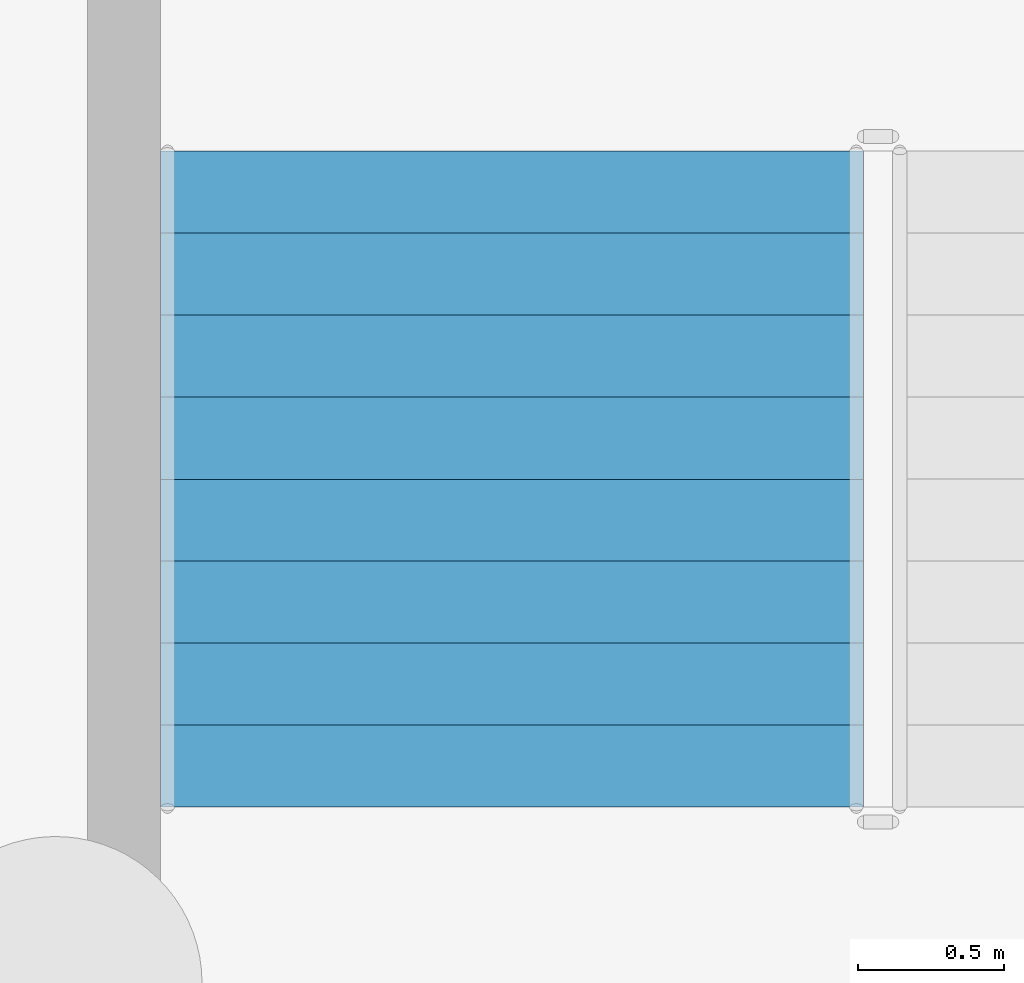
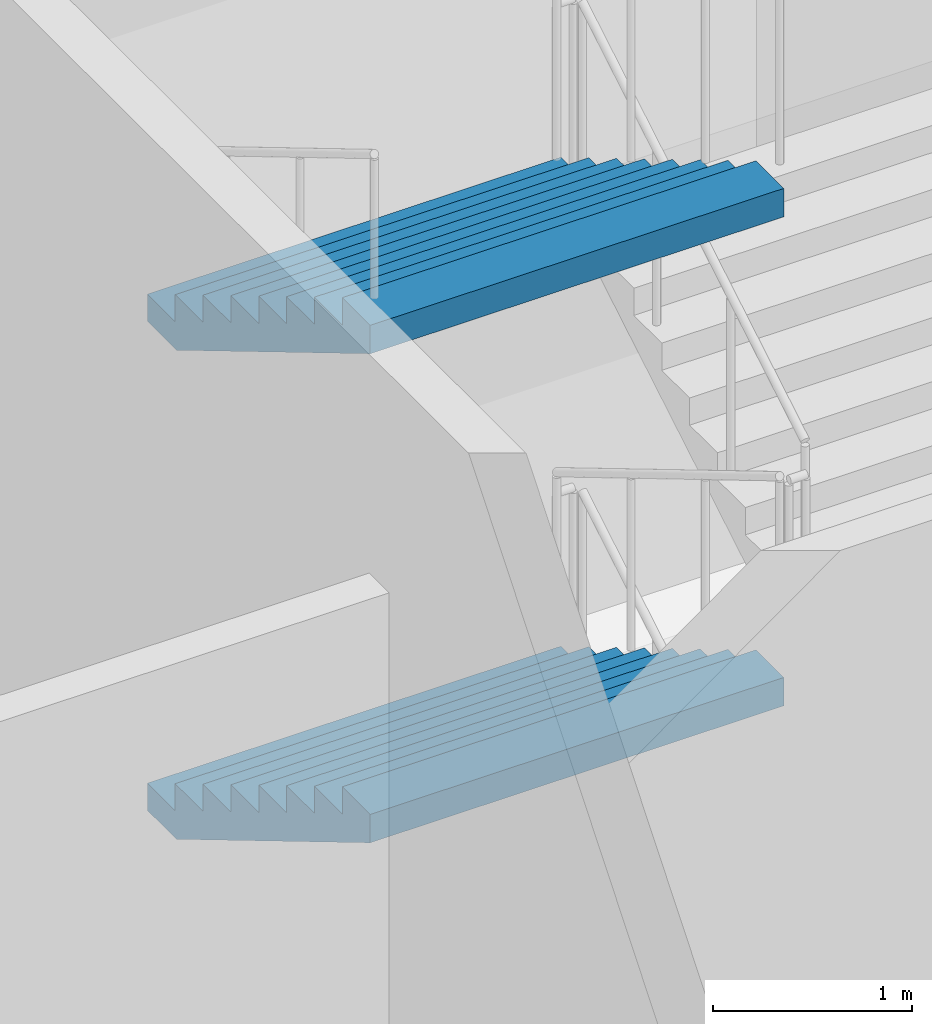
# One storey, part 27 of 39: 2 stair flights, 1 element without a shape of its own.
"""IFC4 building model written with IfcOpenShell, lengths in metres."""

from ifc_helpers import new_model, si_unit, direction, frame, origin, place, context, subcontext, project, spatial, triangles, material, type_object, element, aggregate, save


model = new_model("IFC4")

# Units and contexts
model_context = context("Model", 3, precision=1e-05, world=origin(), true_north=direction((0.0, 1.0)))
body_context = subcontext(model_context, "Body", "Model", "MODEL_VIEW")
ifc_project = project(units=[si_unit("LENGTHUNIT", "METRE"), si_unit("AREAUNIT", "SQUARE_METRE"), si_unit("VOLUMEUNIT", "CUBIC_METRE"), si_unit("PLANEANGLEUNIT", "RADIAN"), si_unit("MASSUNIT", "GRAM", prefix="KILO")], contexts=[model_context])

# Site, building, storey
site_placement = place(None, origin())
site = spatial("IfcSite", under=ifc_project, at=site_placement, CompositionType="ELEMENT")
building_placement = place(site_placement, origin())
building = spatial("IfcBuilding", under=site, at=building_placement, Name="Magnolia Steps Interchange", CompositionType="ELEMENT")
storey_placement = place(building_placement, frame((0.0, 0.0, -11.39990234375)))
storey = spatial("IfcBuildingStorey", under=building, at=storey_placement, Name="B2", CompositionType="ELEMENT", Elevation=-11.39990234375)

# Stair, stair flights
ifc_material_1 = material(Name="Concrete C40", Category="concrete")
stair_type = type_object("IfcStairType", Name="Exit stair 2400", PredefinedType="HALF_TURN_STAIR", material=ifc_material_1)
stair_placement = place(storey_placement, origin())
stair = element("IfcStair", 1, at=stair_placement, inside=storey, type_object=stair_type, Name="B2 Stair 16", PredefinedType="HALF_TURN_STAIR")
ifc_material_2 = material(Name="Concrete C40", Category="concrete")
stair_flight_type = type_object("IfcStairFlightType", Name="Exit stair flight", PredefinedType="STRAIGHT", material=ifc_material_2)
stair_flight_1_placement = place(storey_placement, frame((178.72509765625, 72.114990234375, 1.5), z_axis=(0.0, 0.0, 1.0), x_axis=(0.0, -1.0, 0.0)))
stair_flight_1 = element("IfcStairFlight", 2, at=stair_flight_1_placement, type_object=stair_flight_type, Name="Stair 16 flight 2", NumberOfRisers=9, NumberOfTreads=8, PredefinedType="STRAIGHT", RiserHeight=0.166666667, TreadLength=0.28, context=body_context, shape_type="Tessellation", body=[
    triangles([(0.0, -1.199951171875, 0.0), (0.29296875, -1.199951171875, 0.0), (2.239990234375, -1.199951171875, 1.158935546875), (2.239990234375, -1.199951171875, 1.333251953125), (1.9599609375, -1.199951171875, 1.333251953125), (1.9599609375, -1.199951171875, 1.166748046875), (1.679931640625, -1.199951171875, 1.166748046875), (1.679931640625, -1.199951171875, 1.0), (1.39990234375, -1.199951171875, 1.0), (1.39990234375, -1.199951171875, 0.833251953125), (1.1201171875, -1.199951171875, 0.833251953125), (1.1201171875, -1.199951171875, 0.666748046875), (0.840087890625, -1.199951171875, 0.666748046875), (0.840087890625, -1.199951171875, 0.5), (0.56005859375, -1.199951171875, 0.5), (0.56005859375, -1.199951171875, 0.333251953125), (0.280029296875, -1.199951171875, 0.333251953125), (0.280029296875, -1.199951171875, 0.166748046875), (0.0, -1.199951171875, 0.166748046875), (0.0, 1.199951171875, 0.0), (0.29296875, 1.199951171875, 0.0), (2.239990234375, 1.199951171875, 1.158935546875), (2.239990234375, 1.199951171875, 1.333251953125), (1.9599609375, 1.199951171875, 1.333251953125), (1.9599609375, 1.199951171875, 1.166748046875), (1.679931640625, 1.199951171875, 1.166748046875), (1.679931640625, 1.199951171875, 1.0), (1.39990234375, 1.199951171875, 1.0), (1.39990234375, 1.199951171875, 0.833251953125), (1.1201171875, 1.199951171875, 0.833251953125), (1.1201171875, 1.199951171875, 0.666748046875), (0.840087890625, 1.199951171875, 0.666748046875), (0.840087890625, 1.199951171875, 0.5), (0.56005859375, 1.199951171875, 0.5), (0.56005859375, 1.199951171875, 0.333251953125), (0.280029296875, 1.199951171875, 0.333251953125), (0.280029296875, 1.199951171875, 0.166748046875), (0.0, 1.199951171875, 0.166748046875), (0.0, 0.0, 0.0), (0.0, 0.0, 0.04168701171875), (0.0, 0.0, 0.0833740234375), (0.0, 0.0, 0.12506103515625), (0.0, 0.0, 0.166748046875), (0.0, -0.05, 0.0), (0.0, -0.05, 0.166748046875), (0.0, 0.05, 0.0), (0.0, 0.05, 0.166748046875), (0.046671549479166664, 0.0, 0.166748046875), (0.09334309895833333, 0.0, 0.166748046875), (0.1400146484375, 0.0, 0.166748046875), (0.18668619791666666, 0.0, 0.166748046875), (0.23335774739583334, 0.0, 0.166748046875), (0.280029296875, 0.0, 0.166748046875), (0.280029296875, -0.05, 0.166748046875), (0.280029296875, 0.05, 0.166748046875), (0.280029296875, 0.0, 0.2083740234375), (0.280029296875, 0.0, 0.25), (0.280029296875, 0.0, 0.2916259765625), (0.280029296875, 0.0, 0.333251953125), (0.280029296875, -0.05, 0.333251953125), (0.280029296875, 0.05, 0.333251953125), (0.3267008463541667, 0.0, 0.333251953125), (0.3733723958333333, 0.0, 0.333251953125), (0.4200439453125, 0.0, 0.333251953125), (0.46671549479166663, 0.0, 0.333251953125), (0.5133870442708334, 0.0, 0.333251953125), (0.56005859375, 0.0, 0.333251953125), (0.56005859375, -0.05, 0.333251953125), (0.56005859375, 0.05, 0.333251953125), (0.56005859375, 0.0, 0.37493896484375), (0.56005859375, 0.0, 0.4166259765625), (0.56005859375, 0.0, 0.45831298828125), (0.56005859375, 0.0, 0.5), (0.56005859375, -0.05, 0.5), (0.56005859375, 0.05, 0.5), (0.6067301432291666, 0.0, 0.5), (0.6534016927083334, 0.0, 0.5), (0.7000732421875, 0.0, 0.5), (0.7467447916666666, 0.0, 0.5), (0.7934163411458334, 0.0, 0.5), (0.840087890625, 0.0, 0.5), (0.840087890625, -0.05, 0.5), (0.840087890625, 0.05, 0.5), (0.840087890625, 0.0, 0.54168701171875), (0.840087890625, 0.0, 0.5833740234375), (0.840087890625, 0.0, 0.62506103515625), (0.840087890625, 0.0, 0.666748046875), (0.840087890625, -0.05, 0.666748046875), (0.840087890625, 0.05, 0.666748046875), (0.8867594401041666, 0.0, 0.666748046875), (0.9334309895833334, 0.0, 0.666748046875), (0.9801025390625, 0.0, 0.666748046875), (1.0267740885416667, 0.0, 0.666748046875), (1.0734456380208333, 0.0, 0.666748046875), (1.1201171875, 0.0, 0.666748046875), (1.1201171875, -0.05, 0.666748046875), (1.1201171875, 0.05, 0.666748046875), (1.1201171875, 0.0, 0.7083740234375), (1.1201171875, 0.0, 0.75), (1.1201171875, 0.0, 0.7916259765625), (1.1201171875, 0.0, 0.833251953125), (1.1201171875, -0.05, 0.833251953125), (1.1201171875, 0.05, 0.833251953125), (1.1900634765625, 0.0, 0.833251953125), (1.260009765625, 0.0, 0.833251953125), (1.3299560546875, 0.0, 0.833251953125), (1.39990234375, 0.0, 0.833251953125), (1.39990234375, -0.05, 0.833251953125), (1.39990234375, 0.05, 0.833251953125), (1.39990234375, 0.0, 0.87493896484375), (1.39990234375, 0.0, 0.9166259765625), (1.39990234375, 0.0, 0.95831298828125), (1.39990234375, 0.0, 1.0), (1.39990234375, -0.05, 1.0), (1.39990234375, 0.05, 1.0), (1.4465738932291667, 0.0, 1.0), (1.4932454427083333, 0.0, 1.0), (1.5399169921875, 0.0, 1.0), (1.5865885416666667, 0.0, 1.0), (1.6332600911458333, 0.0, 1.0), (1.679931640625, 0.0, 1.0), (1.679931640625, -0.05, 1.0), (1.679931640625, 0.05, 1.0), (1.679931640625, 0.0, 1.04168701171875), (1.679931640625, 0.0, 1.0833740234375), (1.679931640625, 0.0, 1.12506103515625), (1.679931640625, 0.0, 1.166748046875), (1.679931640625, -0.05, 1.166748046875), (1.679931640625, 0.05, 1.166748046875), (1.7266031901041667, 0.0, 1.166748046875), (1.7732747395833333, 0.0, 1.166748046875), (1.8199462890625, 0.0, 1.166748046875), (1.8666178385416667, 0.0, 1.166748046875), (1.9132893880208333, 0.0, 1.166748046875), (1.9599609375, 0.0, 1.166748046875), (1.9599609375, -0.05, 1.166748046875), (1.9599609375, 0.05, 1.166748046875), (1.9599609375, 0.0, 1.2083740234375), (1.9599609375, 0.0, 1.25), (1.9599609375, 0.0, 1.2916259765625), (1.9599609375, 0.0, 1.333251953125), (1.9599609375, -0.05, 1.333251953125), (1.9599609375, 0.05, 1.333251953125), (2.0066324869791665, 0.0, 1.333251953125), (2.0533040364583335, 0.0, 1.333251953125), (2.0999755859375, 0.0, 1.333251953125), (2.1466471354166665, 0.0, 1.333251953125), (2.1933186848958335, 0.0, 1.333251953125), (2.239990234375, 0.0, 1.333251953125), (2.239990234375, -0.05, 1.333251953125), (2.239990234375, 0.05, 1.333251953125), (2.239990234375, 0.0, 1.2896728515625), (2.239990234375, 0.0, 1.24609375), (2.239990234375, 0.0, 1.2025146484375), (2.239990234375, 0.0, 1.158935546875), (2.239990234375, -0.05, 1.158935546875), (2.239990234375, 0.05, 1.158935546875), (2.1827248965992645, 0.0, 1.1248492072610294), (2.1254595588235294, 0.0, 1.0907628676470589), (2.068194221047794, 0.0, 1.0566765280330883), (2.010928883272059, 0.0, 1.0225901884191178), (1.9536635454963236, 0.0, 0.9885038488051471), (1.8963982077205883, 0.0, 0.9544175091911764), (1.8391328699448528, 0.0, 0.9203311695772058), (1.7818675321691178, 0.0, 0.8862448299632353), (1.7246021943933822, 0.0, 0.8521584903492647), (1.6673368566176472, 0.0, 0.8180721507352942), (1.6100715188419117, 0.0, 0.7839858111213236), (1.5528061810661766, 0.0, 0.7498994715073529), (1.4955408432904411, 0.0, 0.7158131318933824), (1.4382755055147058, 0.0, 0.6817267922794117), (1.3810101677389706, 0.0, 0.6476404526654411), (1.3237448299632353, 0.0, 0.6135541130514706), (1.2664794921875, 0.0, 0.5794677734375), (1.2092141544117647, 0.0, 0.5453814338235294), (1.1519488166360294, 0.0, 0.5112950942095589), (1.0946834788602942, 0.0, 0.4772087545955882), (1.0374181410845589, 0.0, 0.44312241498161764), (0.9801528033088236, 0.0, 0.4090360753676471), (0.9228874655330883, 0.0, 0.3749497357536765), (0.865622127757353, 0.0, 0.34086339613970584), (0.8083567899816178, 0.0, 0.3067770565257353), (0.7510914522058822, 0.0, 0.2726907169117647), (0.693826114430147, 0.0, 0.23860437729779416), (0.6365607766544117, 0.0, 0.20451803768382348), (0.5792954388786764, 0.0, 0.17043169806985292), (0.5220301011029411, 0.0, 0.13634535845588225), (0.46476476332720584, 0.0, 0.10225901884191169), (0.40749942555147056, 0.0, 0.06817267922794112), (0.3502340877757353, 0.0, 0.03408633961397056), (0.29296875, 0.0, 0.0), (0.29296875, -0.05, 0.0), (0.29296875, 0.05, 0.0), (0.244140625, 0.0, 0.0), (0.1953125, 0.0, 0.0), (0.146484375, 0.0, 0.0), (0.09765625, 0.0, 0.0), (0.048828125, 0.0, 0.0)], [[1, 2, 3], [3, 4, 5], [3, 5, 6], [3, 6, 7], [3, 7, 8], [8, 9, 10], [3, 8, 10], [10, 11, 12], [3, 10, 12], [12, 13, 14], [3, 12, 14], [14, 15, 16], [3, 14, 16], [1, 3, 16], [16, 17, 18], [1, 16, 18], [18, 19, 1], [20, 22, 21], [22, 24, 23], [22, 25, 24], [22, 26, 25], [22, 27, 26], [27, 29, 28], [22, 29, 27], [29, 31, 30], [22, 31, 29], [31, 33, 32], [22, 33, 31], [33, 35, 34], [22, 35, 33], [20, 35, 22], [35, 37, 36], [20, 37, 35], [37, 20, 38], [1, 19, 45], [1, 45, 44], [44, 40, 39], [44, 41, 40], [44, 45, 41], [45, 42, 41], [45, 43, 42], [20, 47, 38], [20, 46, 47], [46, 39, 40], [46, 40, 41], [46, 41, 47], [47, 41, 42], [47, 42, 43], [19, 18, 54], [19, 54, 45], [45, 48, 43], [45, 49, 48], [45, 50, 49], [45, 54, 50], [54, 51, 50], [54, 52, 51], [54, 53, 52], [38, 55, 37], [38, 47, 55], [47, 43, 48], [47, 48, 49], [47, 49, 50], [47, 50, 55], [55, 50, 51], [55, 51, 52], [55, 52, 53], [18, 17, 60], [18, 60, 54], [54, 56, 53], [54, 57, 56], [54, 60, 57], [60, 58, 57], [60, 59, 58], [37, 61, 36], [37, 55, 61], [55, 53, 56], [55, 56, 57], [55, 57, 61], [61, 57, 58], [61, 58, 59], [17, 16, 68], [17, 68, 60], [60, 62, 59], [60, 63, 62], [60, 64, 63], [60, 68, 64], [68, 65, 64], [68, 66, 65], [68, 67, 66], [36, 69, 35], [36, 61, 69], [61, 59, 62], [61, 62, 63], [61, 63, 64], [61, 64, 69], [69, 64, 65], [69, 65, 66], [69, 66, 67], [16, 15, 74], [16, 74, 68], [68, 70, 67], [68, 71, 70], [68, 74, 71], [74, 72, 71], [74, 73, 72], [35, 75, 34], [35, 69, 75], [69, 67, 70], [69, 70, 71], [69, 71, 75], [75, 71, 72], [75, 72, 73], [15, 14, 82], [15, 82, 74], [74, 76, 73], [74, 77, 76], [74, 78, 77], [74, 82, 78], [82, 79, 78], [82, 80, 79], [82, 81, 80], [34, 83, 33], [34, 75, 83], [75, 73, 76], [75, 76, 77], [75, 77, 78], [75, 78, 83], [83, 78, 79], [83, 79, 80], [83, 80, 81], [14, 13, 88], [14, 88, 82], [82, 84, 81], [82, 85, 84], [82, 88, 85], [88, 86, 85], [88, 87, 86], [33, 89, 32], [33, 83, 89], [83, 81, 84], [83, 84, 85], [83, 85, 89], [89, 85, 86], [89, 86, 87], [13, 12, 96], [13, 96, 88], [88, 90, 87], [88, 91, 90], [88, 92, 91], [88, 96, 92], [96, 93, 92], [96, 94, 93], [96, 95, 94], [32, 97, 31], [32, 89, 97], [89, 87, 90], [89, 90, 91], [89, 91, 92], [89, 92, 97], [97, 92, 93], [97, 93, 94], [97, 94, 95], [12, 11, 102], [12, 102, 96], [96, 98, 95], [96, 99, 98], [96, 102, 99], [102, 100, 99], [102, 101, 100], [31, 103, 30], [31, 97, 103], [97, 95, 98], [97, 98, 99], [97, 99, 103], [103, 99, 100], [103, 100, 101], [11, 10, 108], [11, 108, 102], [102, 104, 101], [102, 105, 104], [102, 108, 105], [108, 106, 105], [108, 107, 106], [30, 109, 29], [30, 103, 109], [103, 101, 104], [103, 104, 105], [103, 105, 109], [109, 105, 106], [109, 106, 107], [10, 9, 114], [10, 114, 108], [108, 110, 107], [108, 111, 110], [108, 114, 111], [114, 112, 111], [114, 113, 112], [29, 115, 28], [29, 109, 115], [109, 107, 110], [109, 110, 111], [109, 111, 115], [115, 111, 112], [115, 112, 113], [9, 8, 122], [9, 122, 114], [114, 116, 113], [114, 117, 116], [114, 118, 117], [114, 122, 118], [122, 119, 118], [122, 120, 119], [122, 121, 120], [28, 123, 27], [28, 115, 123], [115, 113, 116], [115, 116, 117], [115, 117, 118], [115, 118, 123], [123, 118, 119], [123, 119, 120], [123, 120, 121], [8, 7, 128], [8, 128, 122], [122, 124, 121], [122, 125, 124], [122, 128, 125], [128, 126, 125], [128, 127, 126], [27, 129, 26], [27, 123, 129], [123, 121, 124], [123, 124, 125], [123, 125, 129], [129, 125, 126], [129, 126, 127], [7, 6, 136], [7, 136, 128], [128, 130, 127], [128, 131, 130], [128, 132, 131], [128, 136, 132], [136, 133, 132], [136, 134, 133], [136, 135, 134], [26, 137, 25], [26, 129, 137], [129, 127, 130], [129, 130, 131], [129, 131, 132], [129, 132, 137], [137, 132, 133], [137, 133, 134], [137, 134, 135], [6, 5, 142], [6, 142, 136], [136, 138, 135], [136, 139, 138], [136, 142, 139], [142, 140, 139], [142, 141, 140], [25, 143, 24], [25, 137, 143], [137, 135, 138], [137, 138, 139], [137, 139, 143], [143, 139, 140], [143, 140, 141], [5, 4, 150], [5, 150, 142], [142, 144, 141], [142, 145, 144], [142, 146, 145], [142, 150, 146], [150, 147, 146], [150, 148, 147], [150, 149, 148], [24, 151, 23], [24, 143, 151], [143, 141, 144], [143, 144, 145], [143, 145, 146], [143, 146, 151], [151, 146, 147], [151, 147, 148], [151, 148, 149], [4, 3, 156], [4, 156, 150], [150, 152, 149], [150, 153, 152], [150, 156, 153], [156, 154, 153], [156, 155, 154], [23, 157, 22], [23, 151, 157], [151, 149, 152], [151, 152, 153], [151, 153, 157], [157, 153, 154], [157, 154, 155], [3, 2, 192], [3, 192, 156], [156, 158, 155], [156, 159, 158], [156, 160, 159], [156, 161, 160], [156, 162, 161], [156, 163, 162], [156, 164, 163], [156, 165, 164], [156, 166, 165], [156, 167, 166], [156, 168, 167], [156, 169, 168], [156, 170, 169], [156, 171, 170], [156, 172, 171], [156, 173, 172], [156, 174, 173], [156, 192, 174], [192, 175, 174], [192, 176, 175], [192, 177, 176], [192, 178, 177], [192, 179, 178], [192, 180, 179], [192, 181, 180], [192, 182, 181], [192, 183, 182], [192, 184, 183], [192, 185, 184], [192, 186, 185], [192, 187, 186], [192, 188, 187], [192, 189, 188], [192, 190, 189], [192, 191, 190], [22, 193, 21], [22, 157, 193], [157, 155, 158], [157, 158, 159], [157, 159, 160], [157, 160, 161], [157, 161, 162], [157, 162, 163], [157, 163, 164], [157, 164, 165], [157, 165, 166], [157, 166, 167], [157, 167, 168], [157, 168, 169], [157, 169, 170], [157, 170, 171], [157, 171, 172], [157, 172, 173], [157, 173, 174], [157, 174, 193], [193, 174, 175], [193, 175, 176], [193, 176, 177], [193, 177, 178], [193, 178, 179], [193, 179, 180], [193, 180, 181], [193, 181, 182], [193, 182, 183], [193, 183, 184], [193, 184, 185], [193, 185, 186], [193, 186, 187], [193, 187, 188], [193, 188, 189], [193, 189, 190], [193, 190, 191], [2, 1, 44], [2, 44, 192], [192, 194, 191], [192, 195, 194], [192, 196, 195], [192, 44, 196], [44, 197, 196], [44, 198, 197], [44, 39, 198], [21, 46, 20], [21, 193, 46], [193, 191, 194], [193, 194, 195], [193, 195, 196], [193, 196, 46], [46, 196, 197], [46, 197, 198], [46, 198, 39]], closed=True),
])
stair_flight_2_placement = place(storey_placement, frame((178.72509765625, 72.114990234375, 4.5), z_axis=(0.0, 0.0, 1.0), x_axis=(0.0, -1.0, 0.0)))
stair_flight_2 = element("IfcStairFlight", 3, at=stair_flight_2_placement, type_object=stair_flight_type, Name="Stair 16 flight 4", NumberOfRisers=9, NumberOfTreads=8, PredefinedType="STRAIGHT", RiserHeight=0.166666667, TreadLength=0.28, context=body_context, shape_type="Tessellation", body=[
    triangles([(0.0, -1.199951171875, 0.0), (0.29296875, -1.199951171875, 0.0), (2.239990234375, -1.199951171875, 1.158935546875), (2.239990234375, -1.199951171875, 1.333251953125), (1.9599609375, -1.199951171875, 1.333251953125), (1.9599609375, -1.199951171875, 1.166748046875), (1.679931640625, -1.199951171875, 1.166748046875), (1.679931640625, -1.199951171875, 1.0), (1.39990234375, -1.199951171875, 1.0), (1.39990234375, -1.199951171875, 0.833251953125), (1.1201171875, -1.199951171875, 0.833251953125), (1.1201171875, -1.199951171875, 0.666748046875), (0.840087890625, -1.199951171875, 0.666748046875), (0.840087890625, -1.199951171875, 0.5), (0.56005859375, -1.199951171875, 0.5), (0.56005859375, -1.199951171875, 0.333251953125), (0.280029296875, -1.199951171875, 0.333251953125), (0.280029296875, -1.199951171875, 0.166748046875), (0.0, -1.199951171875, 0.166748046875), (0.0, 1.199951171875, 0.0), (0.29296875, 1.199951171875, 0.0), (2.239990234375, 1.199951171875, 1.158935546875), (2.239990234375, 1.199951171875, 1.333251953125), (1.9599609375, 1.199951171875, 1.333251953125), (1.9599609375, 1.199951171875, 1.166748046875), (1.679931640625, 1.199951171875, 1.166748046875), (1.679931640625, 1.199951171875, 1.0), (1.39990234375, 1.199951171875, 1.0), (1.39990234375, 1.199951171875, 0.833251953125), (1.1201171875, 1.199951171875, 0.833251953125), (1.1201171875, 1.199951171875, 0.666748046875), (0.840087890625, 1.199951171875, 0.666748046875), (0.840087890625, 1.199951171875, 0.5), (0.56005859375, 1.199951171875, 0.5), (0.56005859375, 1.199951171875, 0.333251953125), (0.280029296875, 1.199951171875, 0.333251953125), (0.280029296875, 1.199951171875, 0.166748046875), (0.0, 1.199951171875, 0.166748046875), (0.0, 0.0, 0.0), (0.0, 0.0, 0.04168701171875), (0.0, 0.0, 0.0833740234375), (0.0, 0.0, 0.12506103515625), (0.0, 0.0, 0.166748046875), (0.0, -0.05, 0.0), (0.0, -0.05, 0.166748046875), (0.0, 0.05, 0.0), (0.0, 0.05, 0.166748046875), (0.046671549479166664, 0.0, 0.166748046875), (0.09334309895833333, 0.0, 0.166748046875), (0.1400146484375, 0.0, 0.166748046875), (0.18668619791666666, 0.0, 0.166748046875), (0.23335774739583334, 0.0, 0.166748046875), (0.280029296875, 0.0, 0.166748046875), (0.280029296875, -0.05, 0.166748046875), (0.280029296875, 0.05, 0.166748046875), (0.280029296875, 0.0, 0.2083740234375), (0.280029296875, 0.0, 0.25), (0.280029296875, 0.0, 0.2916259765625), (0.280029296875, 0.0, 0.333251953125), (0.280029296875, -0.05, 0.333251953125), (0.280029296875, 0.05, 0.333251953125), (0.3267008463541667, 0.0, 0.333251953125), (0.3733723958333333, 0.0, 0.333251953125), (0.4200439453125, 0.0, 0.333251953125), (0.46671549479166663, 0.0, 0.333251953125), (0.5133870442708334, 0.0, 0.333251953125), (0.56005859375, 0.0, 0.333251953125), (0.56005859375, -0.05, 0.333251953125), (0.56005859375, 0.05, 0.333251953125), (0.56005859375, 0.0, 0.37493896484375), (0.56005859375, 0.0, 0.4166259765625), (0.56005859375, 0.0, 0.45831298828125), (0.56005859375, 0.0, 0.5), (0.56005859375, -0.05, 0.5), (0.56005859375, 0.05, 0.5), (0.6067301432291666, 0.0, 0.5), (0.6534016927083334, 0.0, 0.5), (0.7000732421875, 0.0, 0.5), (0.7467447916666666, 0.0, 0.5), (0.7934163411458334, 0.0, 0.5), (0.840087890625, 0.0, 0.5), (0.840087890625, -0.05, 0.5), (0.840087890625, 0.05, 0.5), (0.840087890625, 0.0, 0.54168701171875), (0.840087890625, 0.0, 0.5833740234375), (0.840087890625, 0.0, 0.62506103515625), (0.840087890625, 0.0, 0.666748046875), (0.840087890625, -0.05, 0.666748046875), (0.840087890625, 0.05, 0.666748046875), (0.8867594401041666, 0.0, 0.666748046875), (0.9334309895833334, 0.0, 0.666748046875), (0.9801025390625, 0.0, 0.666748046875), (1.0267740885416667, 0.0, 0.666748046875), (1.0734456380208333, 0.0, 0.666748046875), (1.1201171875, 0.0, 0.666748046875), (1.1201171875, -0.05, 0.666748046875), (1.1201171875, 0.05, 0.666748046875), (1.1201171875, 0.0, 0.7083740234375), (1.1201171875, 0.0, 0.75), (1.1201171875, 0.0, 0.7916259765625), (1.1201171875, 0.0, 0.833251953125), (1.1201171875, -0.05, 0.833251953125), (1.1201171875, 0.05, 0.833251953125), (1.1900634765625, 0.0, 0.833251953125), (1.260009765625, 0.0, 0.833251953125), (1.3299560546875, 0.0, 0.833251953125), (1.39990234375, 0.0, 0.833251953125), (1.39990234375, -0.05, 0.833251953125), (1.39990234375, 0.05, 0.833251953125), (1.39990234375, 0.0, 0.87493896484375), (1.39990234375, 0.0, 0.9166259765625), (1.39990234375, 0.0, 0.95831298828125), (1.39990234375, 0.0, 1.0), (1.39990234375, -0.05, 1.0), (1.39990234375, 0.05, 1.0), (1.4465738932291667, 0.0, 1.0), (1.4932454427083333, 0.0, 1.0), (1.5399169921875, 0.0, 1.0), (1.5865885416666667, 0.0, 1.0), (1.6332600911458333, 0.0, 1.0), (1.679931640625, 0.0, 1.0), (1.679931640625, -0.05, 1.0), (1.679931640625, 0.05, 1.0), (1.679931640625, 0.0, 1.04168701171875), (1.679931640625, 0.0, 1.0833740234375), (1.679931640625, 0.0, 1.12506103515625), (1.679931640625, 0.0, 1.166748046875), (1.679931640625, -0.05, 1.166748046875), (1.679931640625, 0.05, 1.166748046875), (1.7266031901041667, 0.0, 1.166748046875), (1.7732747395833333, 0.0, 1.166748046875), (1.8199462890625, 0.0, 1.166748046875), (1.8666178385416667, 0.0, 1.166748046875), (1.9132893880208333, 0.0, 1.166748046875), (1.9599609375, 0.0, 1.166748046875), (1.9599609375, -0.05, 1.166748046875), (1.9599609375, 0.05, 1.166748046875), (1.9599609375, 0.0, 1.2083740234375), (1.9599609375, 0.0, 1.25), (1.9599609375, 0.0, 1.2916259765625), (1.9599609375, 0.0, 1.333251953125), (1.9599609375, -0.05, 1.333251953125), (1.9599609375, 0.05, 1.333251953125), (2.0066324869791665, 0.0, 1.333251953125), (2.0533040364583335, 0.0, 1.333251953125), (2.0999755859375, 0.0, 1.333251953125), (2.1466471354166665, 0.0, 1.333251953125), (2.1933186848958335, 0.0, 1.333251953125), (2.239990234375, 0.0, 1.333251953125), (2.239990234375, -0.05, 1.333251953125), (2.239990234375, 0.05, 1.333251953125), (2.239990234375, 0.0, 1.2896728515625), (2.239990234375, 0.0, 1.24609375), (2.239990234375, 0.0, 1.2025146484375), (2.239990234375, 0.0, 1.158935546875), (2.239990234375, -0.05, 1.158935546875), (2.239990234375, 0.05, 1.158935546875), (2.1827248965992645, 0.0, 1.1248492072610294), (2.1254595588235294, 0.0, 1.0907628676470589), (2.068194221047794, 0.0, 1.0566765280330883), (2.010928883272059, 0.0, 1.0225901884191178), (1.9536635454963236, 0.0, 0.9885038488051471), (1.8963982077205883, 0.0, 0.9544175091911764), (1.8391328699448528, 0.0, 0.9203311695772058), (1.7818675321691178, 0.0, 0.8862448299632353), (1.7246021943933822, 0.0, 0.8521584903492647), (1.6673368566176472, 0.0, 0.8180721507352942), (1.6100715188419117, 0.0, 0.7839858111213236), (1.5528061810661766, 0.0, 0.7498994715073529), (1.4955408432904411, 0.0, 0.7158131318933824), (1.4382755055147058, 0.0, 0.6817267922794117), (1.3810101677389706, 0.0, 0.6476404526654411), (1.3237448299632353, 0.0, 0.6135541130514706), (1.2664794921875, 0.0, 0.5794677734375), (1.2092141544117647, 0.0, 0.5453814338235294), (1.1519488166360294, 0.0, 0.5112950942095589), (1.0946834788602942, 0.0, 0.4772087545955882), (1.0374181410845589, 0.0, 0.44312241498161764), (0.9801528033088236, 0.0, 0.4090360753676471), (0.9228874655330883, 0.0, 0.3749497357536765), (0.865622127757353, 0.0, 0.34086339613970584), (0.8083567899816178, 0.0, 0.3067770565257353), (0.7510914522058822, 0.0, 0.2726907169117647), (0.693826114430147, 0.0, 0.23860437729779416), (0.6365607766544117, 0.0, 0.20451803768382348), (0.5792954388786764, 0.0, 0.17043169806985292), (0.5220301011029411, 0.0, 0.13634535845588225), (0.46476476332720584, 0.0, 0.10225901884191169), (0.40749942555147056, 0.0, 0.06817267922794112), (0.3502340877757353, 0.0, 0.03408633961397056), (0.29296875, 0.0, 0.0), (0.29296875, -0.05, 0.0), (0.29296875, 0.05, 0.0), (0.244140625, 0.0, 0.0), (0.1953125, 0.0, 0.0), (0.146484375, 0.0, 0.0), (0.09765625, 0.0, 0.0), (0.048828125, 0.0, 0.0)], [[1, 2, 3], [3, 4, 5], [3, 5, 6], [3, 6, 7], [3, 7, 8], [8, 9, 10], [3, 8, 10], [10, 11, 12], [3, 10, 12], [12, 13, 14], [3, 12, 14], [14, 15, 16], [3, 14, 16], [1, 3, 16], [16, 17, 18], [1, 16, 18], [18, 19, 1], [20, 22, 21], [22, 24, 23], [22, 25, 24], [22, 26, 25], [22, 27, 26], [27, 29, 28], [22, 29, 27], [29, 31, 30], [22, 31, 29], [31, 33, 32], [22, 33, 31], [33, 35, 34], [22, 35, 33], [20, 35, 22], [35, 37, 36], [20, 37, 35], [37, 20, 38], [1, 19, 45], [1, 45, 44], [44, 40, 39], [44, 41, 40], [44, 45, 41], [45, 42, 41], [45, 43, 42], [20, 47, 38], [20, 46, 47], [46, 39, 40], [46, 40, 41], [46, 41, 47], [47, 41, 42], [47, 42, 43], [19, 18, 54], [19, 54, 45], [45, 48, 43], [45, 49, 48], [45, 50, 49], [45, 54, 50], [54, 51, 50], [54, 52, 51], [54, 53, 52], [38, 55, 37], [38, 47, 55], [47, 43, 48], [47, 48, 49], [47, 49, 50], [47, 50, 55], [55, 50, 51], [55, 51, 52], [55, 52, 53], [18, 17, 60], [18, 60, 54], [54, 56, 53], [54, 57, 56], [54, 60, 57], [60, 58, 57], [60, 59, 58], [37, 61, 36], [37, 55, 61], [55, 53, 56], [55, 56, 57], [55, 57, 61], [61, 57, 58], [61, 58, 59], [17, 16, 68], [17, 68, 60], [60, 62, 59], [60, 63, 62], [60, 64, 63], [60, 68, 64], [68, 65, 64], [68, 66, 65], [68, 67, 66], [36, 69, 35], [36, 61, 69], [61, 59, 62], [61, 62, 63], [61, 63, 64], [61, 64, 69], [69, 64, 65], [69, 65, 66], [69, 66, 67], [16, 15, 74], [16, 74, 68], [68, 70, 67], [68, 71, 70], [68, 74, 71], [74, 72, 71], [74, 73, 72], [35, 75, 34], [35, 69, 75], [69, 67, 70], [69, 70, 71], [69, 71, 75], [75, 71, 72], [75, 72, 73], [15, 14, 82], [15, 82, 74], [74, 76, 73], [74, 77, 76], [74, 78, 77], [74, 82, 78], [82, 79, 78], [82, 80, 79], [82, 81, 80], [34, 83, 33], [34, 75, 83], [75, 73, 76], [75, 76, 77], [75, 77, 78], [75, 78, 83], [83, 78, 79], [83, 79, 80], [83, 80, 81], [14, 13, 88], [14, 88, 82], [82, 84, 81], [82, 85, 84], [82, 88, 85], [88, 86, 85], [88, 87, 86], [33, 89, 32], [33, 83, 89], [83, 81, 84], [83, 84, 85], [83, 85, 89], [89, 85, 86], [89, 86, 87], [13, 12, 96], [13, 96, 88], [88, 90, 87], [88, 91, 90], [88, 92, 91], [88, 96, 92], [96, 93, 92], [96, 94, 93], [96, 95, 94], [32, 97, 31], [32, 89, 97], [89, 87, 90], [89, 90, 91], [89, 91, 92], [89, 92, 97], [97, 92, 93], [97, 93, 94], [97, 94, 95], [12, 11, 102], [12, 102, 96], [96, 98, 95], [96, 99, 98], [96, 102, 99], [102, 100, 99], [102, 101, 100], [31, 103, 30], [31, 97, 103], [97, 95, 98], [97, 98, 99], [97, 99, 103], [103, 99, 100], [103, 100, 101], [11, 10, 108], [11, 108, 102], [102, 104, 101], [102, 105, 104], [102, 108, 105], [108, 106, 105], [108, 107, 106], [30, 109, 29], [30, 103, 109], [103, 101, 104], [103, 104, 105], [103, 105, 109], [109, 105, 106], [109, 106, 107], [10, 9, 114], [10, 114, 108], [108, 110, 107], [108, 111, 110], [108, 114, 111], [114, 112, 111], [114, 113, 112], [29, 115, 28], [29, 109, 115], [109, 107, 110], [109, 110, 111], [109, 111, 115], [115, 111, 112], [115, 112, 113], [9, 8, 122], [9, 122, 114], [114, 116, 113], [114, 117, 116], [114, 118, 117], [114, 122, 118], [122, 119, 118], [122, 120, 119], [122, 121, 120], [28, 123, 27], [28, 115, 123], [115, 113, 116], [115, 116, 117], [115, 117, 118], [115, 118, 123], [123, 118, 119], [123, 119, 120], [123, 120, 121], [8, 7, 128], [8, 128, 122], [122, 124, 121], [122, 125, 124], [122, 128, 125], [128, 126, 125], [128, 127, 126], [27, 129, 26], [27, 123, 129], [123, 121, 124], [123, 124, 125], [123, 125, 129], [129, 125, 126], [129, 126, 127], [7, 6, 136], [7, 136, 128], [128, 130, 127], [128, 131, 130], [128, 132, 131], [128, 136, 132], [136, 133, 132], [136, 134, 133], [136, 135, 134], [26, 137, 25], [26, 129, 137], [129, 127, 130], [129, 130, 131], [129, 131, 132], [129, 132, 137], [137, 132, 133], [137, 133, 134], [137, 134, 135], [6, 5, 142], [6, 142, 136], [136, 138, 135], [136, 139, 138], [136, 142, 139], [142, 140, 139], [142, 141, 140], [25, 143, 24], [25, 137, 143], [137, 135, 138], [137, 138, 139], [137, 139, 143], [143, 139, 140], [143, 140, 141], [5, 4, 150], [5, 150, 142], [142, 144, 141], [142, 145, 144], [142, 146, 145], [142, 150, 146], [150, 147, 146], [150, 148, 147], [150, 149, 148], [24, 151, 23], [24, 143, 151], [143, 141, 144], [143, 144, 145], [143, 145, 146], [143, 146, 151], [151, 146, 147], [151, 147, 148], [151, 148, 149], [4, 3, 156], [4, 156, 150], [150, 152, 149], [150, 153, 152], [150, 156, 153], [156, 154, 153], [156, 155, 154], [23, 157, 22], [23, 151, 157], [151, 149, 152], [151, 152, 153], [151, 153, 157], [157, 153, 154], [157, 154, 155], [3, 2, 192], [3, 192, 156], [156, 158, 155], [156, 159, 158], [156, 160, 159], [156, 161, 160], [156, 162, 161], [156, 163, 162], [156, 164, 163], [156, 165, 164], [156, 166, 165], [156, 167, 166], [156, 168, 167], [156, 169, 168], [156, 170, 169], [156, 171, 170], [156, 172, 171], [156, 173, 172], [156, 174, 173], [156, 192, 174], [192, 175, 174], [192, 176, 175], [192, 177, 176], [192, 178, 177], [192, 179, 178], [192, 180, 179], [192, 181, 180], [192, 182, 181], [192, 183, 182], [192, 184, 183], [192, 185, 184], [192, 186, 185], [192, 187, 186], [192, 188, 187], [192, 189, 188], [192, 190, 189], [192, 191, 190], [22, 193, 21], [22, 157, 193], [157, 155, 158], [157, 158, 159], [157, 159, 160], [157, 160, 161], [157, 161, 162], [157, 162, 163], [157, 163, 164], [157, 164, 165], [157, 165, 166], [157, 166, 167], [157, 167, 168], [157, 168, 169], [157, 169, 170], [157, 170, 171], [157, 171, 172], [157, 172, 173], [157, 173, 174], [157, 174, 193], [193, 174, 175], [193, 175, 176], [193, 176, 177], [193, 177, 178], [193, 178, 179], [193, 179, 180], [193, 180, 181], [193, 181, 182], [193, 182, 183], [193, 183, 184], [193, 184, 185], [193, 185, 186], [193, 186, 187], [193, 187, 188], [193, 188, 189], [193, 189, 190], [193, 190, 191], [2, 1, 44], [2, 44, 192], [192, 194, 191], [192, 195, 194], [192, 196, 195], [192, 44, 196], [44, 197, 196], [44, 198, 197], [44, 39, 198], [21, 46, 20], [21, 193, 46], [193, 191, 194], [193, 194, 195], [193, 195, 196], [193, 196, 46], [46, 196, 197], [46, 197, 198], [46, 198, 39]], closed=True),
])
aggregate(stair, [stair_flight_1, stair_flight_2])

save(model, "model.ifc")
